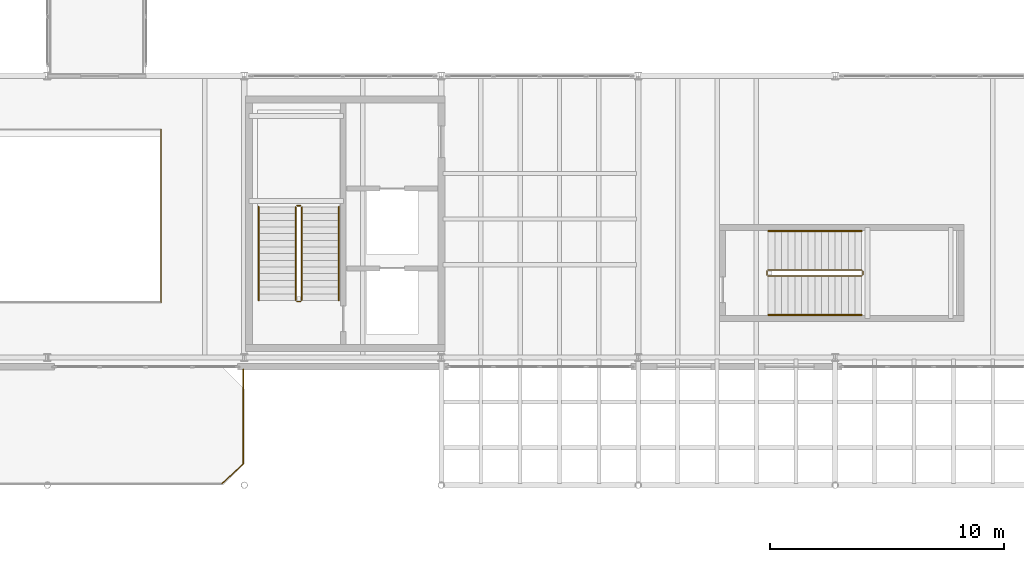
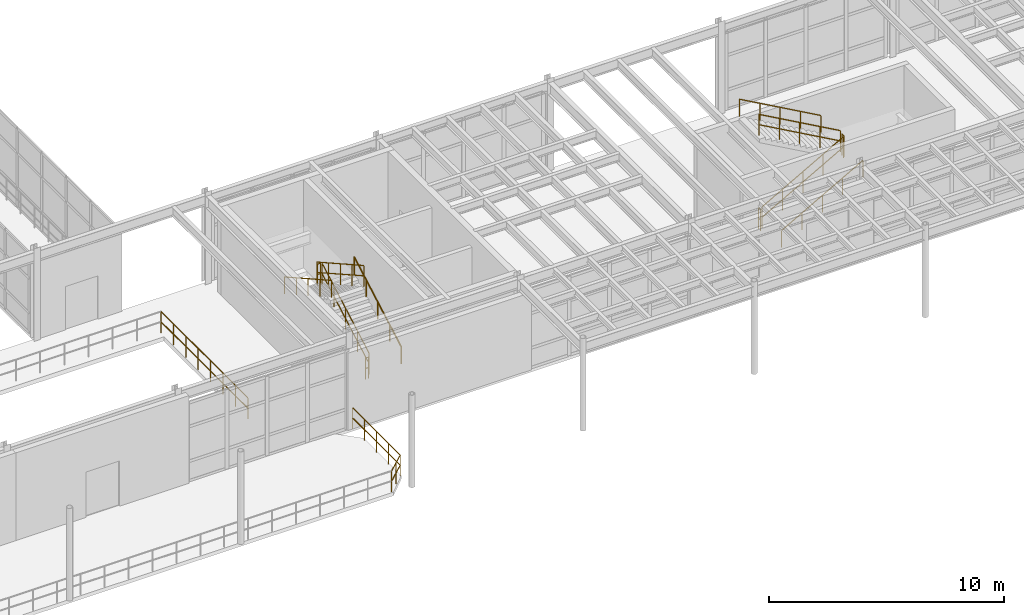
# One storey, part 112 of 116: 15 railings.
"""IFC4 building model written with IfcOpenShell, lengths in metres."""

from ifc_helpers import new_model, si_unit, direction, frame, origin, origin_2d, place, context, subcontext, project, spatial, circle, extrude, material, layer, layer_set, type_object, element, save


model = new_model("IFC4")

# Units and contexts
model_context = context("Model", 3, precision=1e-05, world=origin(), true_north=direction((0.0, 1.0)))
body_context = subcontext(model_context, "Body", "Model", "MODEL_VIEW")
ifc_project = project(units=[si_unit("LENGTHUNIT", "METRE"), si_unit("AREAUNIT", "SQUARE_METRE"), si_unit("VOLUMEUNIT", "CUBIC_METRE"), si_unit("PLANEANGLEUNIT", "RADIAN"), si_unit("MASSUNIT", "GRAM", prefix="KILO")], contexts=[model_context])

# Site, building, storey
site_placement = place(None, origin())
site = spatial("IfcSite", under=ifc_project, at=site_placement, CompositionType="ELEMENT")
building_placement = place(site_placement, origin())
building = spatial("IfcBuilding", under=site, at=building_placement, Name="Selat Folded Stagehouse", CompositionType="ELEMENT")
storey_placement = place(building_placement, frame((0.0, 0.0, 5.39990234375)))
storey = spatial("IfcBuildingStorey", under=building, at=storey_placement, Name="L01", CompositionType="ELEMENT", Elevation=5.39990234375)

# Railings
ifc_material_1 = material(Name="Bronze-anodised steel balustrade", Category="steel")
ifc_layer_1 = layer(ifc_material_1, 0.06494140625)
ifc_layer_set_1 = layer_set([ifc_layer_1], Name="Bronze-anodised steel balustrade")
railing_type_1 = type_object("IfcRailingType", Name="RLG-BAL-1120", PredefinedType="BALUSTRADE", material=ifc_layer_set_1)
railing_1_placement = place(storey_placement, frame((72.050048828125, 8.14990234375, 0.0)))
element("IfcRailing", 1, at=railing_1_placement, inside=storey, type_object=railing_type_1, Name="L01 protective guard railing 035", PredefinedType="BALUSTRADE", context=body_context, shape_type="SweptSolid", body=[
    extrude(circle(Radius=0.02392578125, at=origin_2d()), frame((0.0, 0.0, 1.09619140625), z_axis=(0.0, 1.0, 0.0), x_axis=(-1.0, 0.0, 0.0)), (0.0, 0.0, 1.0), 7.3701171875),
    extrude(circle(Radius=0.02392578125, at=origin_2d()), frame((0.0, 0.0, 0.56005859375), z_axis=(0.0, 1.0, 0.0), x_axis=(-1.0, 0.0, 0.0)), (0.0, 0.0, 1.0), 7.3701171875),
    extrude(circle(Radius=0.02099609375, at=origin_2d()), origin(), (0.0, 0.0, 1.0), 1.072021484375),
    extrude(circle(Radius=0.02099609375, at=origin_2d()), frame((0.0, 1.052978515625, 0.0)), (0.0, 0.0, 1.0), 1.072021484375),
    extrude(circle(Radius=0.02099609375, at=origin_2d()), frame((0.0, 2.105712890625, 0.0)), (0.0, 0.0, 1.0), 1.072021484375),
    extrude(circle(Radius=0.02099609375, at=origin_2d()), frame((0.0, 3.15869140625, 0.0)), (0.0, 0.0, 1.0), 1.072021484375),
    extrude(circle(Radius=0.02099609375, at=origin_2d()), frame((0.0, 4.21142578125, 0.0)), (0.0, 0.0, 1.0), 1.072021484375),
    extrude(circle(Radius=0.02099609375, at=origin_2d()), frame((0.0, 5.264404296875, 0.0)), (0.0, 0.0, 1.0), 1.072021484375),
    extrude(circle(Radius=0.02099609375, at=origin_2d()), frame((0.0, 6.317138671875, 0.0)), (0.0, 0.0, 1.0), 1.072021484375),
    extrude(circle(Radius=0.02099609375, at=origin_2d()), frame((0.0, 7.3701171875, 0.0)), (0.0, 0.0, 1.0), 1.072021484375),
])
railing_2_placement = place(storey_placement, frame((78.050048828125, 8.22998046875, 0.16015625)))
element("IfcRailing", 2, at=railing_2_placement, inside=storey, type_object=railing_type_1, Name="L01 ST-03 stair well guard 1", PredefinedType="BALUSTRADE", context=body_context, shape_type="SweptSolid", body=[
    extrude(circle(Radius=0.02392578125, at=origin_2d()), frame((0.0, 0.0, 1.09619140625), z_axis=(0.0, 0.871984184956, 0.489534044972), x_axis=(-1.0, 0.0, 0.0)), (0.0, 0.0, 1.0), 4.57568359375),
    extrude(circle(Radius=0.02392578125, at=origin_2d()), frame((0.0, 0.0, 0.56005859375), z_axis=(0.0, 0.871984184956, 0.489534044972), x_axis=(-1.0, 0.0, 0.0)), (0.0, 0.0, 1.0), 4.57568359375),
    extrude(circle(Radius=0.02099609375, at=origin_2d()), origin(), (0.0, 0.0, 1.0), 1.072021484375),
    extrude(circle(Radius=0.02099609375, at=origin_2d()), frame((0.0, 0.99755859375, 0.56005859375)), (0.0, 0.0, 1.0), 1.072021484375),
    extrude(circle(Radius=0.02099609375, at=origin_2d()), frame((0.0, 1.9951171875, 1.1201171875)), (0.0, 0.0, 1.0), 1.072021484375),
    extrude(circle(Radius=0.02099609375, at=origin_2d()), frame((0.0, 2.992431640625, 1.679931640625)), (0.0, 0.0, 1.0), 1.072021484375),
    extrude(circle(Radius=0.02099609375, at=origin_2d()), frame((0.0, 3.989990234375, 2.239990234375)), (0.0, 0.0, 1.0), 1.072021484375),
])
railing_3_placement = place(storey_placement, frame((78.0, 12.27001953125, 2.400146484375)))
element("IfcRailing", 3, at=railing_3_placement, inside=storey, type_object=railing_type_1, Name="L01 ST-03 stair well guard 2", PredefinedType="BALUSTRADE", context=body_context, shape_type="SweptSolid", body=[
    extrude(circle(Radius=0.02392578125, at=origin_2d()), frame((0.0, 0.0, 1.09619140625), z_axis=(-1.0, 0.0, 0.0), x_axis=(0.0, -1.0, 0.0)), (0.0, 0.0, 1.0), 0.159912109375),
    extrude(circle(Radius=0.02392578125, at=origin_2d()), frame((0.0, 0.0, 0.56005859375), z_axis=(-1.0, 0.0, 0.0), x_axis=(0.0, -1.0, 0.0)), (0.0, 0.0, 1.0), 0.159912109375),
    extrude(circle(Radius=0.02099609375, at=origin_2d()), origin(), (0.0, 0.0, 1.0), 1.072021484375),
    extrude(circle(Radius=0.02099609375, at=origin_2d()), frame((-0.159912109375, 0.0, 0.0)), (0.0, 0.0, 1.0), 1.072021484375),
])
railing_4_placement = place(storey_placement, frame((77.7900390625, 12.219970703125, 2.56005859375)))
element("IfcRailing", 4, at=railing_4_placement, inside=storey, type_object=railing_type_1, Name="L01 ST-03 stair well guard 3", PredefinedType="BALUSTRADE", context=body_context, shape_type="SweptSolid", body=[
    extrude(circle(Radius=0.02392578125, at=origin_2d()), frame((0.0, 0.0, 1.09619140625), z_axis=(0.0, -0.871984184956, 0.489534044972), x_axis=(1.0, 0.0, 0.0)), (0.0, 0.0, 1.0), 4.57568359375),
    extrude(circle(Radius=0.02392578125, at=origin_2d()), frame((0.0, 0.0, 0.56005859375), z_axis=(0.0, -0.871984184956, 0.489534044972), x_axis=(1.0, 0.0, 0.0)), (0.0, 0.0, 1.0), 4.57568359375),
    extrude(circle(Radius=0.02099609375, at=origin_2d()), origin(), (0.0, 0.0, 1.0), 1.072021484375),
    extrude(circle(Radius=0.02099609375, at=origin_2d()), frame((0.0, -0.99755859375, 0.56005859375)), (0.0, 0.0, 1.0), 1.072021484375),
    extrude(circle(Radius=0.02099609375, at=origin_2d()), frame((0.0, -1.9951171875, 1.1201171875)), (0.0, 0.0, 1.0), 1.072021484375),
    extrude(circle(Radius=0.02099609375, at=origin_2d()), frame((0.0, -2.992431640625, 1.679931640625)), (0.0, 0.0, 1.0), 1.072021484375),
    extrude(circle(Radius=0.02099609375, at=origin_2d()), frame((0.0, -3.989990234375, 2.239990234375)), (0.0, 0.0, 1.0), 1.072021484375),
])
railing_5_placement = place(storey_placement, frame((78.0, 8.179931640625, 0.0)))
element("IfcRailing", 5, at=railing_5_placement, inside=storey, type_object=railing_type_1, Name="L01 ST-03 stair well guard 4", PredefinedType="BALUSTRADE", context=body_context, shape_type="SweptSolid", body=[
    extrude(circle(Radius=0.02392578125, at=origin_2d()), frame((0.0, 0.0, 1.09619140625), z_axis=(-1.0, 0.0, 0.0), x_axis=(0.0, -1.0, 0.0)), (0.0, 0.0, 1.0), 0.159912109375),
    extrude(circle(Radius=0.02392578125, at=origin_2d()), frame((0.0, 0.0, 0.56005859375), z_axis=(-1.0, 0.0, 0.0), x_axis=(0.0, -1.0, 0.0)), (0.0, 0.0, 1.0), 0.159912109375),
    extrude(circle(Radius=0.02099609375, at=origin_2d()), origin(), (0.0, 0.0, 1.0), 1.072021484375),
    extrude(circle(Radius=0.02099609375, at=origin_2d()), frame((-0.159912109375, 0.0, 0.0)), (0.0, 0.0, 1.0), 1.072021484375),
])
railing_6_placement = place(storey_placement, frame((97.93994140625, 9.27001953125, 0.16015625)))
element("IfcRailing", 6, at=railing_6_placement, inside=storey, type_object=railing_type_1, Name="L01 ST-08 stair well guard 1", PredefinedType="BALUSTRADE", context=body_context, shape_type="SweptSolid", body=[
    extrude(circle(Radius=0.02392578125, at=origin_2d()), frame((0.0, 0.0, 1.09619140625), z_axis=(0.871984184956, 0.0, 0.489534044972), x_axis=(0.0, 1.0, 0.0)), (0.0, 0.0, 1.0), 4.57568359375),
    extrude(circle(Radius=0.02392578125, at=origin_2d()), frame((0.0, 0.0, 0.56005859375), z_axis=(0.871984184956, 0.0, 0.489534044972), x_axis=(0.0, 1.0, 0.0)), (0.0, 0.0, 1.0), 4.57568359375),
    extrude(circle(Radius=0.02099609375, at=origin_2d()), origin(), (0.0, 0.0, 1.0), 1.072021484375),
    extrude(circle(Radius=0.02099609375, at=origin_2d()), frame((0.99755859375, 0.0, 0.56005859375)), (0.0, 0.0, 1.0), 1.072021484375),
    extrude(circle(Radius=0.02099609375, at=origin_2d()), frame((1.9951171875, 0.0, 1.1201171875)), (0.0, 0.0, 1.0), 1.072021484375),
    extrude(circle(Radius=0.02099609375, at=origin_2d()), frame((2.992431640625, 0.0, 1.679931640625)), (0.0, 0.0, 1.0), 1.072021484375),
    extrude(circle(Radius=0.02099609375, at=origin_2d()), frame((3.989990234375, 0.0, 2.239990234375)), (0.0, 0.0, 1.0), 1.072021484375),
])
railing_7_placement = place(storey_placement, frame((101.97998046875, 9.320068359375, 2.400146484375)))
element("IfcRailing", 7, at=railing_7_placement, inside=storey, type_object=railing_type_1, Name="L01 ST-08 stair well guard 2", PredefinedType="BALUSTRADE", context=body_context, shape_type="SweptSolid", body=[
    extrude(circle(Radius=0.02392578125, at=origin_2d()), frame((0.0, 0.0, 1.09619140625), z_axis=(0.0, 1.0, 0.0), x_axis=(-1.0, 0.0, 0.0)), (0.0, 0.0, 1.0), 0.159912109375),
    extrude(circle(Radius=0.02392578125, at=origin_2d()), frame((0.0, 0.0, 0.56005859375), z_axis=(0.0, 1.0, 0.0), x_axis=(-1.0, 0.0, 0.0)), (0.0, 0.0, 1.0), 0.159912109375),
    extrude(circle(Radius=0.02099609375, at=origin_2d()), origin(), (0.0, 0.0, 1.0), 1.072021484375),
    extrude(circle(Radius=0.02099609375, at=origin_2d()), frame((0.0, 0.159912109375, 0.0)), (0.0, 0.0, 1.0), 1.072021484375),
])
railing_8_placement = place(storey_placement, frame((101.929931640625, 9.530029296875, 2.56005859375)))
element("IfcRailing", 8, at=railing_8_placement, inside=storey, type_object=railing_type_1, Name="L01 ST-08 stair well guard 3", PredefinedType="BALUSTRADE", context=body_context, shape_type="SweptSolid", body=[
    extrude(circle(Radius=0.02392578125, at=origin_2d()), frame((0.0, 0.0, 1.09619140625), z_axis=(-0.871984184956, 0.0, 0.489534044972), x_axis=(0.0, -1.0, 0.0)), (0.0, 0.0, 1.0), 4.57568359375),
    extrude(circle(Radius=0.02392578125, at=origin_2d()), frame((0.0, 0.0, 0.56005859375), z_axis=(-0.871984184956, 0.0, 0.489534044972), x_axis=(0.0, -1.0, 0.0)), (0.0, 0.0, 1.0), 4.57568359375),
    extrude(circle(Radius=0.02099609375, at=origin_2d()), origin(), (0.0, 0.0, 1.0), 1.072021484375),
    extrude(circle(Radius=0.02099609375, at=origin_2d()), frame((-0.99755859375, 0.0, 0.56005859375)), (0.0, 0.0, 1.0), 1.072021484375),
    extrude(circle(Radius=0.02099609375, at=origin_2d()), frame((-1.9951171875, 0.0, 1.1201171875)), (0.0, 0.0, 1.0), 1.072021484375),
    extrude(circle(Radius=0.02099609375, at=origin_2d()), frame((-2.992431640625, 0.0, 1.679931640625)), (0.0, 0.0, 1.0), 1.072021484375),
    extrude(circle(Radius=0.02099609375, at=origin_2d()), frame((-3.989990234375, 0.0, 2.239990234375)), (0.0, 0.0, 1.0), 1.072021484375),
])
railing_9_placement = place(storey_placement, frame((97.889892578125, 9.320068359375, 0.0)))
element("IfcRailing", 9, at=railing_9_placement, inside=storey, type_object=railing_type_1, Name="L01 ST-08 stair well guard 4", PredefinedType="BALUSTRADE", context=body_context, shape_type="SweptSolid", body=[
    extrude(circle(Radius=0.02392578125, at=origin_2d()), frame((0.0, 0.0, 1.09619140625), z_axis=(0.0, 1.0, 0.0), x_axis=(-1.0, 0.0, 0.0)), (0.0, 0.0, 1.0), 0.159912109375),
    extrude(circle(Radius=0.02392578125, at=origin_2d()), frame((0.0, 0.0, 0.56005859375), z_axis=(0.0, 1.0, 0.0), x_axis=(-1.0, 0.0, 0.0)), (0.0, 0.0, 1.0), 0.159912109375),
    extrude(circle(Radius=0.02099609375, at=origin_2d()), origin(), (0.0, 0.0, 1.0), 1.072021484375),
    extrude(circle(Radius=0.02099609375, at=origin_2d()), frame((0.0, 0.159912109375, 0.0)), (0.0, 0.0, 1.0), 1.072021484375),
])
ifc_material_2 = material(Name="Stainless steel and laminated glass", Category="steel")
ifc_layer_2 = layer(ifc_material_2, 0.06005859375)
ifc_layer_set_2 = layer_set([ifc_layer_2], Name="Stainless steel and laminated glass")
railing_type_2 = type_object("IfcRailingType", Name="RLG-GUARD-1100", PredefinedType="GUARDRAIL", material=ifc_layer_set_2)
railing_10_placement = place(storey_placement, frame((74.64990234375, 0.419921875, 0.0)))
element("IfcRailing", 10, at=railing_10_placement, inside=storey, type_object=railing_type_2, Name="L01 protective guard railing 004", PredefinedType="GUARDRAIL", context=body_context, shape_type="SweptSolid", body=[
    extrude(circle(Radius=0.02392578125, at=origin_2d()), frame((0.0, 0.0, 1.076171875), z_axis=(0.735139700328, 0.677915644458, 0.0), x_axis=(-0.677915644458, 0.735139700328, 0.0)), (0.0, 0.0, 1.0), 1.224365234375),
    extrude(circle(Radius=0.02392578125, at=origin_2d()), frame((0.0, 0.0, 0.550048828125), z_axis=(0.735139700328, 0.677915644458, 0.0), x_axis=(-0.677915644458, 0.735139700328, 0.0)), (0.0, 0.0, 1.0), 1.224365234375),
    extrude(circle(Radius=0.02099609375, at=origin_2d()), origin(), (0.0, 0.0, 1.0), 1.052001953125),
    extrude(circle(Radius=0.02099609375, at=origin_2d()), frame((0.4501953125, 0.4150390625, 0.0)), (0.0, 0.0, 1.0), 1.052001953125),
    extrude(circle(Radius=0.02099609375, at=origin_2d()), frame((0.900146484375, 0.830078125, 0.0)), (0.0, 0.0, 1.0), 1.052001953125),
])
railing_11_placement = place(storey_placement, frame((75.550048828125, 1.25, 0.0)))
element("IfcRailing", 11, at=railing_11_placement, inside=storey, type_object=railing_type_2, Name="L01 protective guard railing 005", PredefinedType="GUARDRAIL", context=body_context, shape_type="SweptSolid", body=[
    extrude(circle(Radius=0.02392578125, at=origin_2d()), frame((0.0, 0.0, 1.076171875), z_axis=(0.0, 1.0, 0.0), x_axis=(-1.0, 0.0, 0.0)), (0.0, 0.0, 1.0), 4.050048828125),
    extrude(circle(Radius=0.02392578125, at=origin_2d()), frame((0.0, 0.0, 0.550048828125), z_axis=(0.0, 1.0, 0.0), x_axis=(-1.0, 0.0, 0.0)), (0.0, 0.0, 1.0), 4.050048828125),
    extrude(circle(Radius=0.02099609375, at=origin_2d()), origin(), (0.0, 0.0, 1.0), 1.052001953125),
    extrude(circle(Radius=0.02099609375, at=origin_2d()), frame((0.0, 1.012451171875, 0.0)), (0.0, 0.0, 1.0), 1.052001953125),
    extrude(circle(Radius=0.02099609375, at=origin_2d()), frame((0.0, 2.02490234375, 0.0)), (0.0, 0.0, 1.0), 1.052001953125),
    extrude(circle(Radius=0.02099609375, at=origin_2d()), frame((0.0, 3.03759765625, 0.0)), (0.0, 0.0, 1.0), 1.052001953125),
    extrude(circle(Radius=0.02099609375, at=origin_2d()), frame((0.0, 4.050048828125, 0.0)), (0.0, 0.0, 1.0), 1.052001953125),
])
ifc_material_3 = material(Name="Brushed stainless steel 1.4301", Category="steel")
ifc_layer_3 = layer(ifc_material_3, 0.048095703125)
ifc_layer_set_3 = layer_set([ifc_layer_3], Name="Brushed stainless steel 1.4301")
railing_type_3 = type_object("IfcRailingType", Name="RLG-HANDRAIL-900", PredefinedType="HANDRAIL", material=ifc_layer_set_3)
railing_12_placement = place(storey_placement, frame((79.6298828125, 8.22998046875, 0.16015625)))
element("IfcRailing", 12, at=railing_12_placement, inside=storey, type_object=railing_type_3, Name="L01 ST-03 wall handrail 1", PredefinedType="HANDRAIL", context=body_context, shape_type="SweptSolid", body=[
    extrude(circle(Radius=0.02392578125, at=origin_2d()), frame((0.0, 0.0, 0.8759765625), z_axis=(0.0, 0.871984184956, 0.489534044972), x_axis=(-1.0, 0.0, 0.0)), (0.0, 0.0, 1.0), 4.57568359375),
    extrude(circle(Radius=0.02099609375, at=origin_2d()), origin(), (0.0, 0.0, 1.0), 0.851806640625),
    extrude(circle(Radius=0.02099609375, at=origin_2d()), frame((0.0, 0.99755859375, 0.56005859375)), (0.0, 0.0, 1.0), 0.851806640625),
    extrude(circle(Radius=0.02099609375, at=origin_2d()), frame((0.0, 1.9951171875, 1.1201171875)), (0.0, 0.0, 1.0), 0.851806640625),
    extrude(circle(Radius=0.02099609375, at=origin_2d()), frame((0.0, 2.992431640625, 1.679931640625)), (0.0, 0.0, 1.0), 0.851806640625),
    extrude(circle(Radius=0.02099609375, at=origin_2d()), frame((0.0, 3.989990234375, 2.239990234375)), (0.0, 0.0, 1.0), 0.851806640625),
])
railing_13_placement = place(storey_placement, frame((76.2099609375, 12.219970703125, 2.56005859375)))
element("IfcRailing", 13, at=railing_13_placement, inside=storey, type_object=railing_type_3, Name="L01 ST-03 wall handrail 2", PredefinedType="HANDRAIL", context=body_context, shape_type="SweptSolid", body=[
    extrude(circle(Radius=0.02392578125, at=origin_2d()), frame((0.0, 0.0, 0.8759765625), z_axis=(0.0, -0.871984184956, 0.489534044972), x_axis=(1.0, 0.0, 0.0)), (0.0, 0.0, 1.0), 4.57568359375),
    extrude(circle(Radius=0.02099609375, at=origin_2d()), origin(), (0.0, 0.0, 1.0), 0.851806640625),
    extrude(circle(Radius=0.02099609375, at=origin_2d()), frame((0.0, -0.99755859375, 0.56005859375)), (0.0, 0.0, 1.0), 0.851806640625),
    extrude(circle(Radius=0.02099609375, at=origin_2d()), frame((0.0, -1.9951171875, 1.1201171875)), (0.0, 0.0, 1.0), 0.851806640625),
    extrude(circle(Radius=0.02099609375, at=origin_2d()), frame((0.0, -2.992431640625, 1.679931640625)), (0.0, 0.0, 1.0), 0.851806640625),
    extrude(circle(Radius=0.02099609375, at=origin_2d()), frame((0.0, -3.989990234375, 2.239990234375)), (0.0, 0.0, 1.0), 0.851806640625),
])
railing_14_placement = place(storey_placement, frame((97.93994140625, 7.610107421875, 0.16015625)))
element("IfcRailing", 14, at=railing_14_placement, inside=storey, type_object=railing_type_3, Name="L01 ST-08 wall handrail 1", PredefinedType="HANDRAIL", context=body_context, shape_type="SweptSolid", body=[
    extrude(circle(Radius=0.02392578125, at=origin_2d()), frame((0.0, 0.0, 0.8759765625), z_axis=(0.871984184956, 0.0, 0.489534044972), x_axis=(0.0, 1.0, 0.0)), (0.0, 0.0, 1.0), 4.57568359375),
    extrude(circle(Radius=0.02099609375, at=origin_2d()), origin(), (0.0, 0.0, 1.0), 0.851806640625),
    extrude(circle(Radius=0.02099609375, at=origin_2d()), frame((0.99755859375, 0.0, 0.56005859375)), (0.0, 0.0, 1.0), 0.851806640625),
    extrude(circle(Radius=0.02099609375, at=origin_2d()), frame((1.9951171875, 0.0, 1.1201171875)), (0.0, 0.0, 1.0), 0.851806640625),
    extrude(circle(Radius=0.02099609375, at=origin_2d()), frame((2.992431640625, 0.0, 1.679931640625)), (0.0, 0.0, 1.0), 0.851806640625),
    extrude(circle(Radius=0.02099609375, at=origin_2d()), frame((3.989990234375, 0.0, 2.239990234375)), (0.0, 0.0, 1.0), 0.851806640625),
])
railing_15_placement = place(storey_placement, frame((101.929931640625, 11.18994140625, 2.56005859375)))
element("IfcRailing", 15, at=railing_15_placement, inside=storey, type_object=railing_type_3, Name="L01 ST-08 wall handrail 2", PredefinedType="HANDRAIL", context=body_context, shape_type="SweptSolid", body=[
    extrude(circle(Radius=0.02392578125, at=origin_2d()), frame((0.0, 0.0, 0.8759765625), z_axis=(-0.871984184956, 0.0, 0.489534044972), x_axis=(0.0, -1.0, 0.0)), (0.0, 0.0, 1.0), 4.57568359375),
    extrude(circle(Radius=0.02099609375, at=origin_2d()), origin(), (0.0, 0.0, 1.0), 0.851806640625),
    extrude(circle(Radius=0.02099609375, at=origin_2d()), frame((-0.99755859375, 0.0, 0.56005859375)), (0.0, 0.0, 1.0), 0.851806640625),
    extrude(circle(Radius=0.02099609375, at=origin_2d()), frame((-1.9951171875, 0.0, 1.1201171875)), (0.0, 0.0, 1.0), 0.851806640625),
    extrude(circle(Radius=0.02099609375, at=origin_2d()), frame((-2.992431640625, 0.0, 1.679931640625)), (0.0, 0.0, 1.0), 0.851806640625),
    extrude(circle(Radius=0.02099609375, at=origin_2d()), frame((-3.989990234375, 0.0, 2.239990234375)), (0.0, 0.0, 1.0), 0.851806640625),
])

save(model, "model.ifc")
